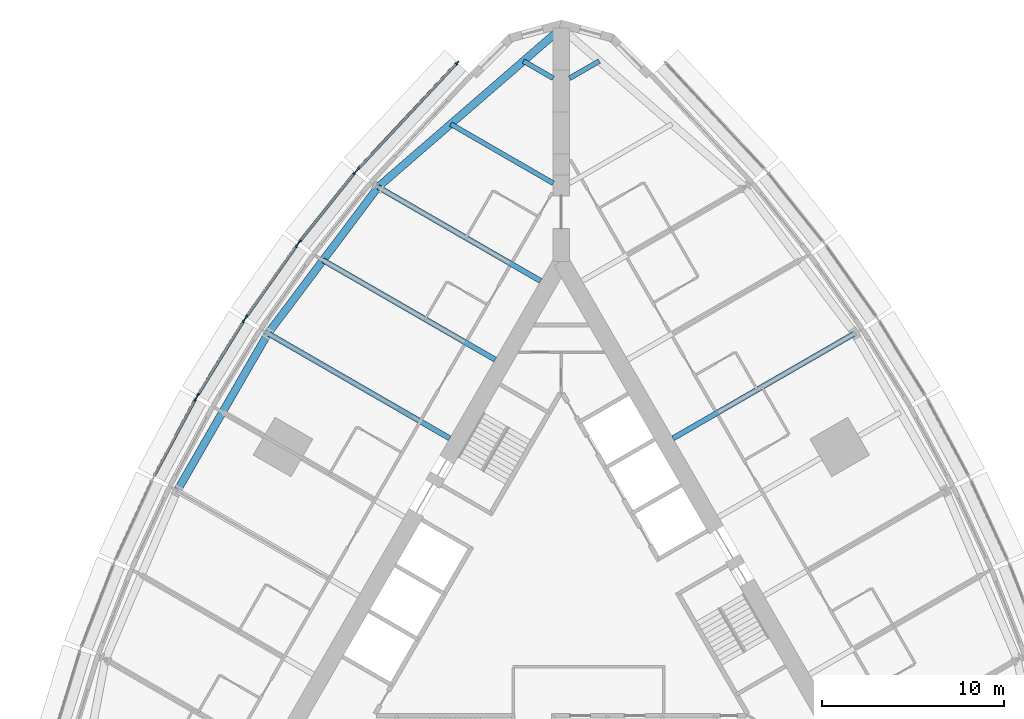
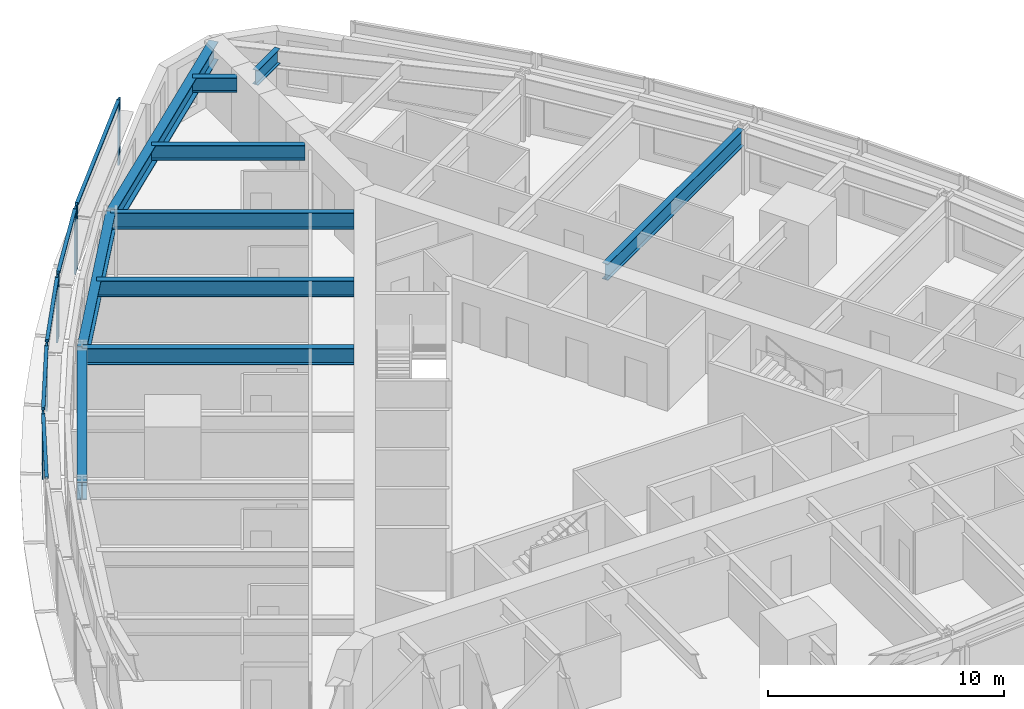
# One storey, part 4 of 14: 14 members, 10 beams, 5 elements without a shape of their own.
"""IFC4 building model written with IfcOpenShell, lengths in metres."""

from ifc_helpers import new_model, si_unit, direction, frame, origin, origin_2d, place, context, subcontext, project, spatial, rectangle, i_section, extrude, material, material_profile, profile_set, type_object, element, aggregate, save


model = new_model("IFC4")

# Units and contexts
model_context = context("Model", 3, precision=1e-05, world=origin(), true_north=direction((0.0, 1.0)))
body_context = subcontext(model_context, "Body", "Model", "MODEL_VIEW")
ifc_project = project(units=[si_unit("LENGTHUNIT", "METRE"), si_unit("AREAUNIT", "SQUARE_METRE"), si_unit("VOLUMEUNIT", "CUBIC_METRE"), si_unit("PLANEANGLEUNIT", "RADIAN"), si_unit("MASSUNIT", "GRAM", prefix="KILO")], contexts=[model_context])

# Site, building, storey
site_placement = place(None, origin())
site = spatial("IfcSite", under=ifc_project, at=site_placement, CompositionType="ELEMENT")
building_placement = place(site_placement, origin())
building = spatial("IfcBuilding", under=site, at=building_placement, Name="Trikona Tower", CompositionType="ELEMENT")
storey_placement = place(building_placement, frame((0.0, 0.0, 38.699951171875)))
storey = spatial("IfcBuildingStorey", under=building, at=storey_placement, Name="L08", CompositionType="ELEMENT", Elevation=38.699951171875)

# Curtain wall, members
ifc_material_1 = material(Name="Aluminium curtain wall system", Category="aluminium")
curtain_wall_type = type_object("IfcCurtainWallType", Name="Curtain wall DS1", PredefinedType="NOTDEFINED", material=ifc_material_1)
curtain_wall_1_placement = place(storey_placement, origin())
curtain_wall_1 = element("IfcCurtainWall", 1, at=curtain_wall_1_placement, inside=storey, type_object=curtain_wall_type, Name="Curtain wall DS1 L08", PredefinedType="NOTDEFINED")
ifc_material_2 = material(Name="Aluminium mullion, pale anodised", Category="aluminium")
ifc_material_profile_1 = material_profile(ifc_material_2, rectangle(XDim=0.080078125, YDim=0.219970703125, at=origin_2d()), Name="MUL-DS1")
ifc_profile_set_1 = profile_set([ifc_material_profile_1], Name="Aluminium mullion, pale anodised")
member_type_1 = type_object("IfcMemberType", Name="Mullion DS1 80x220", PredefinedType="MULLION", material=ifc_profile_set_1)
member_1_placement = place(storey_placement, frame((-5.72607421875, 29.98583984375, 0.0), z_axis=(0.0, 0.0, 1.0), x_axis=(0.731076639405, -0.682295351967, 0.0)))
member_1 = element("IfcMember", 2, at=member_1_placement, type_object=member_type_1, Name="CW-DS1 mullion 1", PredefinedType="MULLION", context=body_context, shape_type="SweptSolid", body=[
    extrude(rectangle(XDim=0.080078125, YDim=0.219970703125, at=origin_2d()), origin(), (0.0, 0.0, 1.0), 3.400146484375),
])
member_2_placement = place(storey_placement, frame((-11.192138671875, 24.129150390625, 0.0), z_axis=(0.0, 0.0, 1.0), x_axis=(0.731076639405, -0.682295351967, 0.0)))
member_2 = element("IfcMember", 3, at=member_2_placement, type_object=member_type_1, Name="CW-DS1 mullion 2", PredefinedType="MULLION", context=body_context, shape_type="SweptSolid", body=[
    extrude(rectangle(XDim=0.080078125, YDim=0.219970703125, at=origin_2d()), origin(), (0.0, 0.0, 1.0), 3.400146484375),
])

curtain_wall_2_placement = place(storey_placement, origin())
curtain_wall_2 = element("IfcCurtainWall", 4, at=curtain_wall_2_placement, inside=storey, type_object=curtain_wall_type, Name="Curtain wall DS1 L08", PredefinedType="NOTDEFINED")
member_3_placement = place(storey_placement, frame((-11.36767578125, 23.926025390625, 0.0), z_axis=(0.0, 0.0, 1.0), x_axis=(0.780937959679, -0.624608599951, 0.0)))
member_3 = element("IfcMember", 5, at=member_3_placement, type_object=member_type_1, Name="CW-DS1 mullion 1", PredefinedType="MULLION", context=body_context, shape_type="SweptSolid", body=[
    extrude(rectangle(XDim=0.080078125, YDim=0.219970703125, at=origin_2d()), origin(), (0.0, 0.0, 1.0), 3.400146484375),
])
member_4_placement = place(storey_placement, frame((-14.40185546875, 20.13232421875, 0.0), z_axis=(0.0, 0.0, 1.0), x_axis=(0.780937959679, -0.624608599951, 0.0)))
member_4 = element("IfcMember", 6, at=member_4_placement, type_object=member_type_1, Name="CW-DS1 mullion 2", PredefinedType="MULLION", context=body_context, shape_type="SweptSolid", body=[
    extrude(rectangle(XDim=0.080078125, YDim=0.219970703125, at=origin_2d()), origin(), (0.0, 0.0, 1.0), 3.400146484375),
])

curtain_wall_3_placement = place(storey_placement, origin())
curtain_wall_3 = element("IfcCurtainWall", 7, at=curtain_wall_3_placement, inside=storey, type_object=curtain_wall_type, Name="Curtain wall DS1 L08", PredefinedType="NOTDEFINED")
member_5_placement = place(storey_placement, frame((-14.554443359375, 19.929443359375, 0.0), z_axis=(0.0, 0.0, 1.0), x_axis=(0.816985393055, -0.576658362928, 0.0)))
member_5 = element("IfcMember", 8, at=member_5_placement, type_object=member_type_1, Name="CW-DS1 mullion 1", PredefinedType="MULLION", context=body_context, shape_type="SweptSolid", body=[
    extrude(rectangle(XDim=0.080078125, YDim=0.219970703125, at=origin_2d()), origin(), (0.0, 0.0, 1.0), 3.400146484375),
])
member_6_placement = place(storey_placement, frame((-17.33447265625, 15.990966796875, 0.0), z_axis=(0.0, 0.0, 1.0), x_axis=(0.816985393055, -0.576658362928, 0.0)))
member_6 = element("IfcMember", 9, at=member_6_placement, type_object=member_type_1, Name="CW-DS1 mullion 2", PredefinedType="MULLION", context=body_context, shape_type="SweptSolid", body=[
    extrude(rectangle(XDim=0.080078125, YDim=0.219970703125, at=origin_2d()), origin(), (0.0, 0.0, 1.0), 3.400146484375),
])

curtain_wall_4_placement = place(storey_placement, origin())
curtain_wall_4 = element("IfcCurtainWall", 10, at=curtain_wall_4_placement, inside=storey, type_object=curtain_wall_type, Name="Curtain wall DS1 L08", PredefinedType="NOTDEFINED")
member_7_placement = place(storey_placement, frame((-17.474853515625, 15.77880859375, 0.0), z_axis=(0.0, 0.0, 1.0), x_axis=(0.850410468941, -0.526119790842, 0.0)))
member_7 = element("IfcMember", 11, at=member_7_placement, type_object=member_type_1, Name="CW-DS1 mullion 1", PredefinedType="MULLION", context=body_context, shape_type="SweptSolid", body=[
    extrude(rectangle(XDim=0.080078125, YDim=0.219970703125, at=origin_2d()), origin(), (0.0, 0.0, 1.0), 3.400146484375),
])
member_8_placement = place(storey_placement, frame((-20.00146484375, 11.69482421875, 0.0), z_axis=(0.0, 0.0, 1.0), x_axis=(0.850410468941, -0.526119790842, 0.0)))
member_8 = element("IfcMember", 12, at=member_8_placement, type_object=member_type_1, Name="CW-DS1 mullion 2", PredefinedType="MULLION", context=body_context, shape_type="SweptSolid", body=[
    extrude(rectangle(XDim=0.080078125, YDim=0.219970703125, at=origin_2d()), origin(), (0.0, 0.0, 1.0), 3.400146484375),
])

# Curtain wall, member
curtain_wall_5_placement = place(storey_placement, origin())
curtain_wall_5 = element("IfcCurtainWall", 13, at=curtain_wall_5_placement, inside=storey, type_object=curtain_wall_type, Name="Curtain wall DS1 L08", PredefinedType="NOTDEFINED")
member_9_placement = place(storey_placement, frame((-20.128662109375, 11.474365234375, 0.0), z_axis=(0.0, 0.0, 1.0), x_axis=(0.880843080975, -0.473408350896, 0.0)))
member_9 = element("IfcMember", 14, at=member_9_placement, type_object=member_type_1, Name="CW-DS1 mullion 1", PredefinedType="MULLION", context=body_context, shape_type="SweptSolid", body=[
    extrude(rectangle(XDim=0.080078125, YDim=0.219970703125, at=origin_2d()), origin(), (0.0, 0.0, 1.0), 3.400146484375),
])

# Beams
ifc_material_3 = material(Name="Steel ASTM A992 Grade 50", Category="steel")
ifc_material_profile_2 = material_profile(ifc_material_3, i_section(OverallWidth=0.2666015625, OverallDepth=0.76953125, WebThickness=0.015625, FlangeThickness=0.025390625, at=origin_2d()), Name="W30X132")
ifc_profile_set_2 = profile_set([ifc_material_profile_2], Name="Steel ASTM A992 Grade 50")
beam_type_1 = type_object("IfcBeamType", Name="Steel beam W30x132 (wedge)", PredefinedType="BEAM", material=ifc_profile_set_2)
for number, where, z_axis, x_axis, name in (
    (15, (0.449951171875, 29.127197265625, 2.850341796875), (0.866009237431, 0.5000279999, 0.0), (-0.5000279999, 0.866009237431, 0.0), "Floor beam L09 F2 u25"),
    (16, (-0.449951171875, 29.127197265625, 2.850341796875), (-0.866009237431, 0.5000279999, 0.0), (-0.5000279999, -0.866009237431, 0.0), "Floor beam L09 F3 u-25"),
):
    element("IfcBeam", number, at=place(storey_placement, frame(where, z_axis=z_axis, x_axis=x_axis)), inside=storey, type_object=beam_type_1, Name=name, PredefinedType="BEAM", context=body_context, shape_type="SweptSolid", body=[
        extrude(i_section(OverallWidth=0.2666015625, OverallDepth=0.76953125, WebThickness=0.015625, FlangeThickness=0.025390625, at=origin_2d()), origin(), (0.0, 0.0, 1.0), 1.890625),
    ])
beam_1_placement = place(storey_placement, frame((-0.449951171875, 23.353759765625, 2.850341796875), z_axis=(-0.866022504693, 0.50000502134, 0.0), x_axis=(-0.50000502134, -0.866022504693, 0.0)))
element("IfcBeam", 17, at=beam_1_placement, inside=storey, type_object=beam_type_1, Name="Floor beam L09 F3 u-20", PredefinedType="BEAM", context=body_context, shape_type="SweptSolid", body=[
    extrude(i_section(OverallWidth=0.2666015625, OverallDepth=0.76953125, WebThickness=0.015625, FlangeThickness=0.025390625, at=origin_2d()), origin(), (0.0, 0.0, 1.0), 6.5068359375),
])
ifc_material_4 = material(Name="Steel ASTM A992 Grade 50", Category="steel")
ifc_material_profile_3 = material_profile(ifc_material_4, i_section(OverallWidth=0.2919921875, OverallDepth=0.845703125, WebThickness=0.015380859375, FlangeThickness=0.0244140625, at=origin_2d()), Name="W33X141")
ifc_profile_set_3 = profile_set([ifc_material_profile_3], Name="Steel ASTM A992 Grade 50")
beam_type_2 = type_object("IfcBeamType", Name="Steel beam W33x141 (radial typ)", PredefinedType="BEAM", material=ifc_profile_set_3)
beam_2_placement = place(storey_placement, frame((6.1396484375, 9.318359375, 2.812255859375), z_axis=(0.866029923217, 0.499992172032, 0.0), x_axis=(-0.499992172032, 0.866029923217, 0.0)))
element("IfcBeam", 18, at=beam_2_placement, inside=storey, type_object=beam_type_2, Name="Floor beam L09 F2 u5", PredefinedType="BEAM", context=body_context, shape_type="SweptSolid", body=[
    extrude(i_section(OverallWidth=0.2919921875, OverallDepth=0.845703125, WebThickness=0.015380859375, FlangeThickness=0.0244140625, at=origin_2d()), origin(), (0.0, 0.0, 1.0), 11.544189453125),
])
beam_3_placement = place(storey_placement, frame((-1.1396484375, 17.978515625, 2.812255859375), z_axis=(-0.866030471684, 0.499991222037, 0.0), x_axis=(-0.499991222037, -0.866030471684, 0.0)))
element("IfcBeam", 19, at=beam_3_placement, inside=storey, type_object=beam_type_2, Name="Floor beam L09 F3 u-15", PredefinedType="BEAM", context=body_context, shape_type="SweptSolid", body=[
    extrude(i_section(OverallWidth=0.2919921875, OverallDepth=0.845703125, WebThickness=0.015380859375, FlangeThickness=0.0244140625, at=origin_2d()), origin(), (0.0, 0.0, 1.0), 10.326904296875),
])
beam_4_placement = place(storey_placement, frame((-3.6396484375, 13.6484375, 2.812255859375), z_axis=(-0.866025348605, 0.500000095573, 0.0), x_axis=(-0.500000095573, -0.866025348605, 0.0)))
element("IfcBeam", 20, at=beam_4_placement, inside=storey, type_object=beam_type_2, Name="Floor beam L09 F3 u-10", PredefinedType="BEAM", context=body_context, shape_type="SweptSolid", body=[
    extrude(i_section(OverallWidth=0.2919921875, OverallDepth=0.845703125, WebThickness=0.015380859375, FlangeThickness=0.0244140625, at=origin_2d()), origin(), (0.0, 0.0, 1.0), 10.935546875),
])
beam_5_placement = place(storey_placement, frame((-6.1396484375, 9.318359375, 2.812255859375), z_axis=(-0.866029923217, 0.499992172032, 0.0), x_axis=(-0.499992172032, -0.866029923217, 0.0)))
element("IfcBeam", 21, at=beam_5_placement, inside=storey, type_object=beam_type_2, Name="Floor beam L09 F3 u-5", PredefinedType="BEAM", context=body_context, shape_type="SweptSolid", body=[
    extrude(i_section(OverallWidth=0.2919921875, OverallDepth=0.845703125, WebThickness=0.015380859375, FlangeThickness=0.0244140625, at=origin_2d()), origin(), (0.0, 0.0, 1.0), 11.544189453125),
])
ifc_material_5 = material(Name="Steel ASTM A992 Grade 50", Category="steel")
ifc_material_profile_4 = material_profile(ifc_material_5, i_section(OverallWidth=0.424072265625, OverallDepth=0.947509765625, WebThickness=0.02392578125, FlangeThickness=0.042724609375, at=origin_2d()), Name="W36X302")
ifc_profile_set_4 = profile_set([ifc_material_profile_4], Name="Steel ASTM A992 Grade 50")
beam_type_3 = type_object("IfcBeamType", Name="Steel beam W36x302 (spandrel)", PredefinedType="SPANDREL", material=ifc_profile_set_4)
beam_6_placement = place(storey_placement, frame((0.0, 31.881591796875, 2.76123046875), z_axis=(-0.755646822726, -0.654979296851, 0.0), x_axis=(0.654979296851, -0.755646822726, 0.0)))
element("IfcBeam", 22, at=beam_6_placement, inside=storey, type_object=beam_type_3, Name="Spandrel beam L09 F3-1", PredefinedType="SPANDREL", context=body_context, shape_type="SweptSolid", body=[
    extrude(i_section(OverallWidth=0.424072265625, OverallDepth=0.947509765625, WebThickness=0.02392578125, FlangeThickness=0.042724609375, at=origin_2d()), origin(), (0.0, 0.0, 1.0), 13.343505859375),
])
beam_7_placement = place(storey_placement, frame((-10.0830078125, 23.141845703125, 2.76123046875), z_axis=(-0.600988344191, -0.799257787042, 0.0), x_axis=(0.799257787042, -0.600988344191, 0.0)))
element("IfcBeam", 23, at=beam_7_placement, inside=storey, type_object=beam_type_3, Name="Spandrel beam L09 F3-2", PredefinedType="SPANDREL", context=body_context, shape_type="SweptSolid", body=[
    extrude(i_section(OverallWidth=0.424072265625, OverallDepth=0.947509765625, WebThickness=0.02392578125, FlangeThickness=0.042724609375, at=origin_2d()), origin(), (0.0, 0.0, 1.0), 10.07373046875),
])
beam_8_placement = place(storey_placement, frame((-16.13720703125, 15.09033203125, 2.76123046875), z_axis=(-0.500004234368, -0.866022959057, 0.0), x_axis=(0.866022959057, -0.500004234368, 0.0)))
element("IfcBeam", 24, at=beam_8_placement, inside=storey, type_object=beam_type_3, Name="Spandrel beam L09 F3-3", PredefinedType="SPANDREL", context=body_context, shape_type="SweptSolid", body=[
    extrude(i_section(OverallWidth=0.424072265625, OverallDepth=0.947509765625, WebThickness=0.02392578125, FlangeThickness=0.042724609375, at=origin_2d()), origin(), (0.0, 0.0, 1.0), 10.0),
])

# Member
ifc_material_6 = material(Name="Aluminium transom, pale anodised", Category="aluminium")
ifc_material_profile_5 = material_profile(ifc_material_6, rectangle(XDim=0.159912109375, YDim=0.080078125, at=origin_2d()), Name="TRN-DS1")
ifc_profile_set_5 = profile_set([ifc_material_profile_5], Name="Aluminium transom, pale anodised")
member_type_2 = type_object("IfcMemberType", Name="Transom DS1 80x160", PredefinedType="USERDEFINED", material=ifc_profile_set_5)
member_10_placement = place(storey_placement, frame((-5.75341796875, 29.95654296875, 3.360107421875), z_axis=(-0.682290830921, -0.731080858758, 0.0), x_axis=(0.731080858758, -0.682290830921, 0.0)))
member_10 = element("IfcMember", 25, at=member_10_placement, type_object=member_type_2, Name="CW-DS1 transom 1.1", ObjectType="TRANSOM", PredefinedType="USERDEFINED", context=body_context, shape_type="SweptSolid", body=[
    extrude(rectangle(XDim=0.159912109375, YDim=0.080078125, at=origin_2d()), origin(), (0.0, 0.0, 1.0), 7.93115234375),
])

aggregate(curtain_wall_1, [member_1, member_2, member_10])

member_11_placement = place(storey_placement, frame((-11.392822265625, 23.894775390625, 3.360107421875), z_axis=(-0.624589103832, -0.780953552636, 0.0), x_axis=(0.780953552636, -0.624589103832, 0.0)))
member_11 = element("IfcMember", 26, at=member_11_placement, type_object=member_type_2, Name="CW-DS1 transom 1.1", ObjectType="TRANSOM", PredefinedType="USERDEFINED", context=body_context, shape_type="SweptSolid", body=[
    extrude(rectangle(XDim=0.159912109375, YDim=0.080078125, at=origin_2d()), origin(), (0.0, 0.0, 1.0), 4.77783203125),
])

aggregate(curtain_wall_2, [member_3, member_4, member_11])

member_12_placement = place(storey_placement, frame((-14.57763671875, 19.896728515625, 3.360107421875), z_axis=(-0.57664478015, -0.816994980111, 0.0), x_axis=(0.816994980111, -0.57664478015, 0.0)))
member_12 = element("IfcMember", 27, at=member_12_placement, type_object=member_type_2, Name="CW-DS1 transom 1.1", ObjectType="TRANSOM", PredefinedType="USERDEFINED", context=body_context, shape_type="SweptSolid", body=[
    extrude(rectangle(XDim=0.159912109375, YDim=0.080078125, at=origin_2d()), origin(), (0.0, 0.0, 1.0), 4.740478515625),
])

aggregate(curtain_wall_3, [member_5, member_6, member_12])

member_13_placement = place(storey_placement, frame((-17.495849609375, 15.744873046875, 3.360107421875), z_axis=(-0.526080502257, -0.850434774186, 0.0), x_axis=(0.850434774186, -0.526080502257, 0.0)))
member_13 = element("IfcMember", 28, at=member_13_placement, type_object=member_type_2, Name="CW-DS1 transom 1.1", ObjectType="TRANSOM", PredefinedType="USERDEFINED", context=body_context, shape_type="SweptSolid", body=[
    extrude(rectangle(XDim=0.159912109375, YDim=0.080078125, at=origin_2d()), origin(), (0.0, 0.0, 1.0), 4.722412109375),
])

aggregate(curtain_wall_4, [member_7, member_8, member_13])

member_14_placement = place(storey_placement, frame((-20.147705078125, 11.43896484375, 3.360107421875), z_axis=(-0.473427569755, -0.880832751546, 0.0), x_axis=(0.880832751546, -0.473427569755, 0.0)))
member_14 = element("IfcMember", 29, at=member_14_placement, type_object=member_type_2, Name="CW-DS1 transom 1.1", ObjectType="TRANSOM", PredefinedType="USERDEFINED", context=body_context, shape_type="SweptSolid", body=[
    extrude(rectangle(XDim=0.159912109375, YDim=0.080078125, at=origin_2d()), origin(), (0.0, 0.0, 1.0), 4.72216796875),
])

aggregate(curtain_wall_5, [member_9, member_14])

save(model, "model.ifc")
